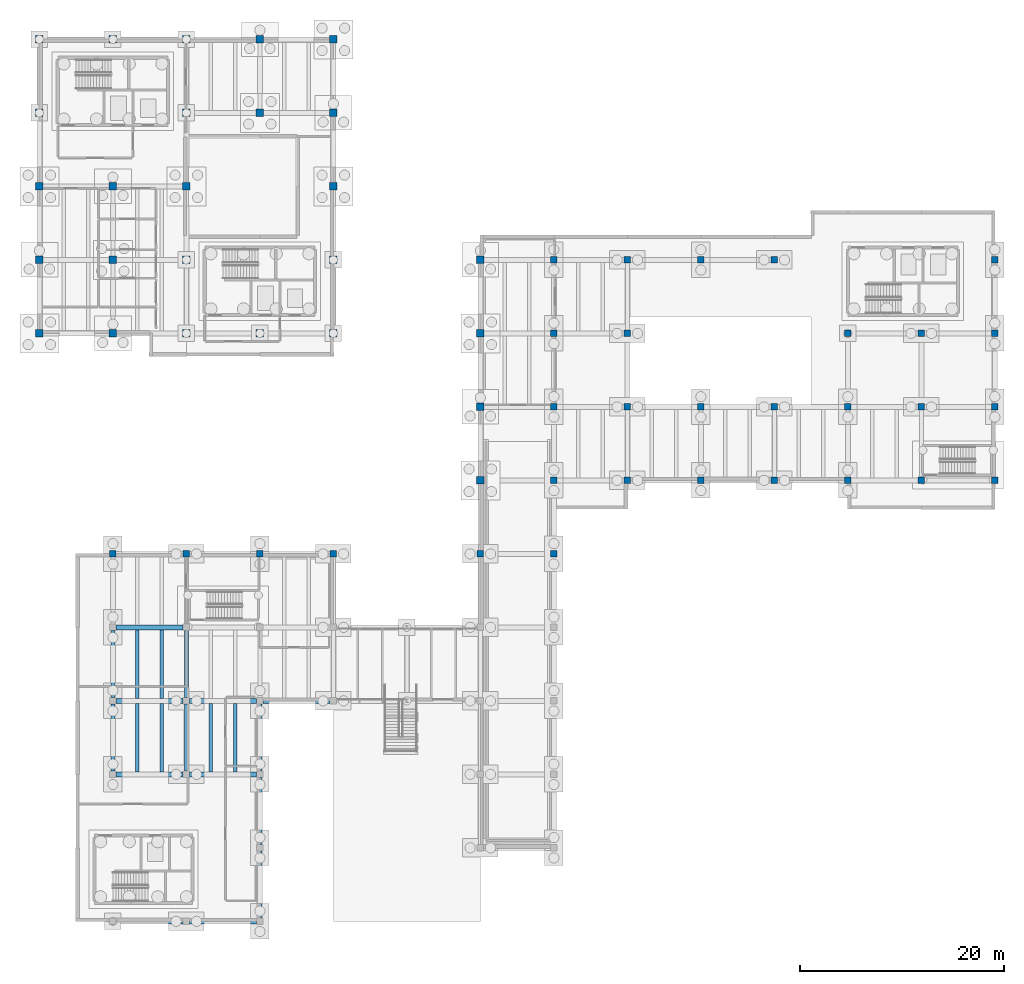
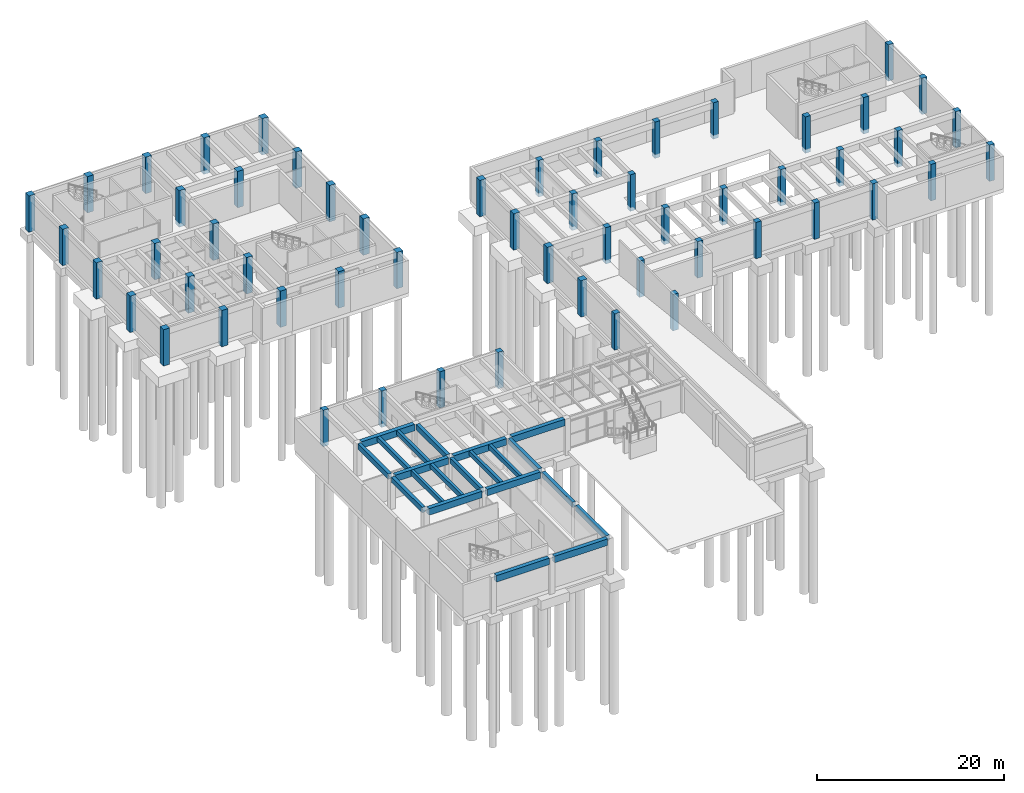
# One storey, part 6 of 28: 56 columns, 21 beams.
"""IFC4 building model written with IfcOpenShell, lengths in metres."""

from ifc_helpers import new_model, si_unit, direction, frame, origin, origin_2d, place, context, subcontext, project, spatial, rectangle, extrude, material, material_profile, profile_set, type_object, element, save


model = new_model("IFC4")

# Units and contexts
model_context = context("Model", 3, precision=1e-05, world=origin(), true_north=direction((0.0, 1.0)))
body_context = subcontext(model_context, "Body", "Model", "MODEL_VIEW")
ifc_project = project(units=[si_unit("LENGTHUNIT", "METRE"), si_unit("AREAUNIT", "SQUARE_METRE"), si_unit("VOLUMEUNIT", "CUBIC_METRE"), si_unit("PLANEANGLEUNIT", "RADIAN"), si_unit("MASSUNIT", "GRAM", prefix="KILO")], contexts=[model_context])

# Site, building, storey
site_placement = place(None, origin())
site = spatial("IfcSite", under=ifc_project, at=site_placement, CompositionType="ELEMENT")
building_placement = place(site_placement, origin())
building = spatial("IfcBuilding", under=site, at=building_placement, Name="Bramvelor Terrace Health Centre", CompositionType="ELEMENT")
storey_placement = place(building_placement, frame((0.0, 0.0, -4.5)))
storey = spatial("IfcBuildingStorey", under=building, at=storey_placement, Name="B1", CompositionType="ELEMENT", Elevation=-4.5)

# Columns
ifc_material_1 = material(Name="Concrete C40/50", Category="concrete")
ifc_material_profile_1 = material_profile(ifc_material_1, rectangle(XDim=0.64990234375, YDim=0.64990234375, at=origin_2d()), Name="RC 650x650")
ifc_profile_set_1 = profile_set([ifc_material_profile_1], Name="Concrete C40/50")
column_type_1 = type_object("IfcColumnType", Name="COL-RC-650", PredefinedType="COLUMN", material=ifc_profile_set_1)
for number, where, z_axis, x_axis, name in (
    (1, (7.199951171875, 64.800048828125, -0.5), (0.0, 0.0, 1.0), (1.0, 0.0, 0.0), "B1 Column (7.2, 64.8)"),
    (2, (14.39990234375, 64.800048828125, -0.5), (0.0, 0.0, 1.0), (1.0, 0.0, 0.0), "B1 Column (14.4, 64.8)"),
    (3, (21.60009765625, 64.800048828125, -0.5), (0.0, 0.0, 1.0), (1.0, 0.0, 0.0), "B1 Column (21.6, 64.8)"),
    (4, (28.800048828125, 64.800048828125, -0.5), (0.0, 0.0, 1.0), (1.0, 0.0, 0.0), "B1 Column (28.8, 64.8)"),
    (5, (43.199951171875, 64.800048828125, -0.5), (0.0, 0.0, 1.0), (1.0, 0.0, 0.0), "B1 Column (43.2, 64.8)"),
    (6, (50.39990234375, 64.800048828125, -0.5), (0.0, 0.0, 1.0), (1.0, 0.0, 0.0), "B1 Column (50.4, 64.8)"),
    (7, (50.39990234375, 72.0, -0.5), (0.0, 0.0, 1.0), (1.0, 0.0, 0.0), "B1 Column (50.4, 72.0)"),
    (8, (50.39990234375, 79.199951171875, -0.5), (0.0, 0.0, 1.0), (1.0, 0.0, 0.0), "B1 Column (50.4, 79.2)"),
    (9, (50.39990234375, 86.39990234375, -0.5), (0.0, 0.0, 1.0), (1.0, 0.0, 0.0), "B1 Column (50.4, 86.4)"),
    (10, (50.39990234375, 93.60009765625, -0.5), (0.0, 0.0, 1.0), (1.0, 0.0, 0.0), "B1 Column (50.4, 93.6)"),
    (11, (57.60009765625, 72.0, -0.5), (0.0, 0.0, 1.0), (1.0, 0.0, 0.0), "B1 Column (57.6, 72.0)"),
    (12, (57.60009765625, 79.199951171875, -0.5), (0.0, 0.0, 1.0), (1.0, 0.0, 0.0), "B1 Column (57.6, 79.2)"),
    (13, (57.60009765625, 86.39990234375, -0.5), (0.0, 0.0, 1.0), (1.0, 0.0, 0.0), "B1 Column (57.6, 86.4)"),
    (14, (57.60009765625, 93.60009765625, -0.5), (0.0, 0.0, 1.0), (1.0, 0.0, 0.0), "B1 Column (57.6, 93.6)"),
    (15, (64.800048828125, 72.0, -0.5), (0.0, 0.0, 1.0), (1.0, 0.0, 0.0), "B1 Column (64.8, 72.0)"),
    (16, (64.800048828125, 79.199951171875, -0.5), (0.0, 0.0, 1.0), (1.0, 0.0, 0.0), "B1 Column (64.8, 79.2)"),
    (17, (64.800048828125, 93.60009765625, -0.5), (0.0, 0.0, 1.0), (1.0, 0.0, 0.0), "B1 Column (64.8, 93.6)"),
    (18, (72.0, 72.0, -0.5), (0.0, 0.0, 1.0), (1.0, 0.0, 0.0), "B1 Column (72.0, 72.0)"),
    (19, (72.0, 79.199951171875, -0.5), (0.0, 0.0, 1.0), (1.0, 0.0, 0.0), "B1 Column (72.0, 79.2)"),
    (20, (72.0, 93.60009765625, -0.5), (0.0, 0.0, 1.0), (1.0, 0.0, 0.0), "B1 Column (72.0, 93.6)"),
    (21, (79.199951171875, 72.0, -0.5), (0.0, 0.0, 1.0), (1.0, 0.0, 0.0), "B1 Column (79.2, 72.0)"),
    (22, (79.199951171875, 79.199951171875, -0.5), (0.0, 0.0, 1.0), (1.0, 0.0, 0.0), "B1 Column (79.2, 79.2)"),
    (23, (79.199951171875, 86.39990234375, -0.5), (0.0, 0.0, 1.0), (1.0, 0.0, 0.0), "B1 Column (79.2, 86.4)"),
    (24, (86.39990234375, 72.0, -0.5), (0.0, 0.0, 1.0), (1.0, 0.0, 0.0), "B1 Column (86.4, 72.0)"),
    (25, (86.39990234375, 79.199951171875, -0.5), (0.0, 0.0, 1.0), (1.0, 0.0, 0.0), "B1 Column (86.4, 79.2)"),
    (26, (86.39990234375, 86.39990234375, -0.5), (0.0, 0.0, 1.0), (1.0, 0.0, 0.0), "B1 Column (86.4, 86.4)"),
    (27, (93.60009765625, 72.0, -0.5), (0.0, 0.0, 1.0), (1.0, 0.0, 0.0), "B1 Column (93.6, 72.0)"),
    (28, (93.60009765625, 79.199951171875, -0.5), (0.0, 0.0, 1.0), (1.0, 0.0, 0.0), "B1 Column (93.6, 79.2)"),
    (29, (93.60009765625, 86.39990234375, -0.5), (0.0, 0.0, 1.0), (1.0, 0.0, 0.0), "B1 Column (93.6, 86.4)"),
    (30, (93.60009765625, 93.60009765625, -0.5), (0.0, 0.0, 1.0), (1.0, 0.0, 0.0), "B1 Column (93.6, 93.6)"),
):
    element("IfcColumn", number, at=place(storey_placement, frame(where, z_axis=z_axis, x_axis=x_axis)), inside=storey, type_object=column_type_1, Name=name, PredefinedType="COLUMN", context=body_context, shape_type="SweptSolid", body=[
        extrude(rectangle(XDim=0.64990234375, YDim=0.64990234375, at=origin_2d()), origin(), (0.0, 0.0, 1.0), 4.75),
    ])
ifc_material_2 = material(Name="Concrete C40/50", Category="concrete")
ifc_material_profile_2 = material_profile(ifc_material_2, rectangle(XDim=0.75, YDim=0.75, at=origin_2d()), Name="RC 750x750")
ifc_profile_set_2 = profile_set([ifc_material_profile_2], Name="Concrete C40/50")
column_type_2 = type_object("IfcColumnType", Name="COL-RC-750", PredefinedType="COLUMN", material=ifc_profile_set_2)
for number, where, z_axis, x_axis, name in (
    (31, (7.199951171875, 86.39990234375, -0.5), (0.0, 0.0, 1.0), (1.0, 0.0, 0.0), "B1 Column (7.2, 86.4)"),
    (32, (7.199951171875, 93.60009765625, -0.5), (0.0, 0.0, 1.0), (1.0, 0.0, 0.0), "B1 Column (7.2, 93.6)"),
    (33, (7.199951171875, 100.800048828125, -0.5), (0.0, 0.0, 1.0), (1.0, 0.0, 0.0), "B1 Column (7.2, 100.8)"),
    (34, (14.39990234375, 86.39990234375, -0.5), (0.0, 0.0, 1.0), (1.0, 0.0, 0.0), "B1 Column (14.4, 86.4)"),
    (35, (14.39990234375, 93.60009765625, -0.5), (0.0, 0.0, 1.0), (1.0, 0.0, 0.0), "B1 Column (14.4, 93.6)"),
    (36, (14.39990234375, 100.800048828125, -0.5), (0.0, 0.0, 1.0), (1.0, 0.0, 0.0), "B1 Column (14.4, 100.8)"),
    (37, (14.39990234375, 108.0, -0.5), (0.0, 0.0, 1.0), (1.0, 0.0, 0.0), "B1 Column (14.4, 108.0)"),
    (38, (21.60009765625, 86.39990234375, -0.5), (0.0, 0.0, 1.0), (1.0, 0.0, 0.0), "B1 Column (21.6, 86.4)"),
    (39, (21.60009765625, 108.0, -0.5), (0.0, 0.0, 1.0), (1.0, 0.0, 0.0), "B1 Column (21.6, 108.0)"),
    (40, (28.800048828125, 86.39990234375, -0.5), (0.0, 0.0, 1.0), (1.0, 0.0, 0.0), "B1 Column (28.8, 86.4)"),
    (41, (28.800048828125, 93.60009765625, -0.5), (0.0, 0.0, 1.0), (1.0, 0.0, 0.0), "B1 Column (28.8, 93.6)"),
    (42, (28.800048828125, 100.800048828125, -0.5), (0.0, 0.0, 1.0), (1.0, 0.0, 0.0), "B1 Column (28.8, 100.8)"),
    (43, (28.800048828125, 108.0, -0.5), (0.0, 0.0, 1.0), (1.0, 0.0, 0.0), "B1 Column (28.8, 108.0)"),
    (44, (43.199951171875, 72.0, -0.5), (0.0, 0.0, 1.0), (1.0, 0.0, 0.0), "B1 Column (43.2, 72.0)"),
    (45, (43.199951171875, 79.199951171875, -0.5), (0.0, 0.0, 1.0), (1.0, 0.0, 0.0), "B1 Column (43.2, 79.2)"),
    (46, (43.199951171875, 86.39990234375, -0.5), (0.0, 0.0, 1.0), (1.0, 0.0, 0.0), "B1 Column (43.2, 86.4)"),
    (47, (43.199951171875, 93.60009765625, -0.5), (0.0, 0.0, 1.0), (1.0, 0.0, 0.0), "B1 Column (43.2, 93.6)"),
):
    element("IfcColumn", number, at=place(storey_placement, frame(where, z_axis=z_axis, x_axis=x_axis)), inside=storey, type_object=column_type_2, Name=name, PredefinedType="COLUMN", context=body_context, shape_type="SweptSolid", body=[
        extrude(rectangle(XDim=0.75, YDim=0.75, at=origin_2d()), origin(), (0.0, 0.0, 1.0), 4.75),
    ])
ifc_material_3 = material(Name="Concrete C40/50", Category="concrete")
ifc_material_profile_3 = material_profile(ifc_material_3, rectangle(XDim=0.75, YDim=0.75, at=origin_2d()), Name="RC 750x750")
ifc_profile_set_3 = profile_set([ifc_material_profile_3], Name="Concrete C40/50")
column_type_3 = type_object("IfcColumnType", Name="COL-RC-750-EXT", PredefinedType="COLUMN", material=ifc_profile_set_3)
for number, where, z_axis, x_axis, name in (
    (48, (0.0, 86.39990234375, -0.5), (0.0, 0.0, 1.0), (1.0, 0.0, 0.0), "B1 Column (0.0, 86.4)"),
    (49, (0.0, 93.60009765625, -0.5), (0.0, 0.0, 1.0), (1.0, 0.0, 0.0), "B1 Column (0.0, 93.6)"),
    (50, (0.0, 100.800048828125, -0.5), (0.0, 0.0, 1.0), (1.0, 0.0, 0.0), "B1 Column (0.0, 100.8)"),
    (51, (0.0, 108.0, -0.5), (0.0, 0.0, 1.0), (1.0, 0.0, 0.0), "B1 Column (0.0, 108.0)"),
    (52, (0.0, 115.199951171875, -0.5), (0.0, 0.0, 1.0), (1.0, 0.0, 0.0), "B1 Column (0.0, 115.2)"),
    (53, (7.199951171875, 115.199951171875, -0.5), (0.0, 0.0, 1.0), (1.0, 0.0, 0.0), "B1 Column (7.2, 115.2)"),
    (54, (14.39990234375, 115.199951171875, -0.5), (0.0, 0.0, 1.0), (1.0, 0.0, 0.0), "B1 Column (14.4, 115.2)"),
    (55, (21.60009765625, 115.199951171875, -0.5), (0.0, 0.0, 1.0), (1.0, 0.0, 0.0), "B1 Column (21.6, 115.2)"),
    (56, (28.800048828125, 115.199951171875, -0.5), (0.0, 0.0, 1.0), (1.0, 0.0, 0.0), "B1 Column (28.8, 115.2)"),
):
    element("IfcColumn", number, at=place(storey_placement, frame(where, z_axis=z_axis, x_axis=x_axis)), inside=storey, type_object=column_type_3, Name=name, PredefinedType="COLUMN", context=body_context, shape_type="SweptSolid", body=[
        extrude(rectangle(XDim=0.75, YDim=0.75, at=origin_2d()), origin(), (0.0, 0.0, 1.0), 4.75),
    ])

# Beams
ifc_material_4 = material(Name="Concrete C40/50", Category="concrete")
ifc_material_profile_4 = material_profile(ifc_material_4, rectangle(XDim=0.39990234375, YDim=0.699951171875, at=origin_2d()), Name="RC 400x700")
ifc_profile_set_4 = profile_set([ifc_material_profile_4], Name="Concrete C40/50")
beam_type_1 = type_object("IfcBeamType", Name="BM-RC-G700", PredefinedType="BEAM", material=ifc_profile_set_4)
beam_1_placement = place(storey_placement, frame((7.199951171875, 43.52490234375, 3.89990234375), z_axis=(0.0, 1.0, 0.0), x_axis=(-1.0, 0.0, 0.0)))
element("IfcBeam", 57, at=beam_1_placement, inside=storey, type_object=beam_type_1, Name="B1 Floor Girder", PredefinedType="BEAM", context=body_context, shape_type="SweptSolid", body=[
    extrude(rectangle(XDim=0.39990234375, YDim=0.699951171875, at=origin_2d()), origin(), (0.0, 0.0, 1.0), 6.550048828125),
])
beam_2_placement = place(storey_placement, frame((7.199951171875, 50.72509765625, 3.89990234375), z_axis=(0.0, 1.0, 0.0), x_axis=(-1.0, 0.0, 0.0)))
element("IfcBeam", 58, at=beam_2_placement, inside=storey, type_object=beam_type_1, Name="B1 Floor Girder", PredefinedType="BEAM", context=body_context, shape_type="SweptSolid", body=[
    extrude(rectangle(XDim=0.39990234375, YDim=0.699951171875, at=origin_2d()), origin(), (0.0, 0.0, 1.0), 6.5498046875),
])
beam_3_placement = place(storey_placement, frame((14.39990234375, 43.52490234375, 3.89990234375), z_axis=(0.0, 1.0, 0.0), x_axis=(-1.0, 0.0, 0.0)))
element("IfcBeam", 59, at=beam_3_placement, inside=storey, type_object=beam_type_1, Name="B1 Floor Girder", PredefinedType="BEAM", context=body_context, shape_type="SweptSolid", body=[
    extrude(rectangle(XDim=0.39990234375, YDim=0.699951171875, at=origin_2d()), origin(), (0.0, 0.0, 1.0), 6.550048828125),
])
beam_4_placement = place(storey_placement, frame((14.39990234375, 50.72509765625, 3.89990234375), z_axis=(0.0, 1.0, 0.0), x_axis=(-1.0, 0.0, 0.0)))
element("IfcBeam", 60, at=beam_4_placement, inside=storey, type_object=beam_type_1, Name="B1 Floor Girder", PredefinedType="BEAM", context=body_context, shape_type="SweptSolid", body=[
    extrude(rectangle(XDim=0.39990234375, YDim=0.699951171875, at=origin_2d()), origin(), (0.0, 0.0, 1.0), 6.5498046875),
])
for number, where, z_axis, x_axis, name in (
    (61, (21.60009765625, 29.125, 3.89990234375), (0.0, 1.0, 0.0), (-1.0, 0.0, 0.0), "B1 Floor Girder"),
    (62, (21.60009765625, 36.324951171875, 3.89990234375), (0.0, 1.0, 0.0), (-1.0, 0.0, 0.0), "B1 Floor Girder"),
    (63, (21.60009765625, 43.52490234375, 3.89990234375), (0.0, 1.0, 0.0), (-1.0, 0.0, 0.0), "B1 Floor Girder"),
):
    element("IfcBeam", number, at=place(storey_placement, frame(where, z_axis=z_axis, x_axis=x_axis)), inside=storey, type_object=beam_type_1, Name=name, PredefinedType="BEAM", context=body_context, shape_type="SweptSolid", body=[
        extrude(rectangle(XDim=0.39990234375, YDim=0.699951171875, at=origin_2d()), origin(), (0.0, 0.0, 1.0), 6.550048828125),
    ])
ifc_material_5 = material(Name="Concrete C40/50", Category="concrete")
ifc_material_profile_5 = material_profile(ifc_material_5, rectangle(XDim=0.5, YDim=0.85009765625, at=origin_2d()), Name="RC 500x850")
ifc_profile_set_5 = profile_set([ifc_material_profile_5], Name="Concrete C40/50")
beam_type_2 = type_object("IfcBeamType", Name="BM-RC-G850", PredefinedType="BEAM", material=ifc_profile_set_5)
for number, where, z_axis, x_axis, name in (
    (64, (7.52490234375, 28.800048828125, 3.824951171875), (1.0, 0.0, 0.0), (0.0, 1.0, 0.0), "B1 Floor Girder"),
    (65, (7.52490234375, 43.199951171875, 3.824951171875), (1.0, 0.0, 0.0), (0.0, 1.0, 0.0), "B1 Floor Girder"),
    (66, (7.52490234375, 50.39990234375, 3.824951171875), (1.0, 0.0, 0.0), (0.0, 1.0, 0.0), "B1 Floor Girder"),
    (67, (7.52490234375, 57.60009765625, 3.824951171875), (1.0, 0.0, 0.0), (0.0, 1.0, 0.0), "B1 Floor Girder"),
):
    element("IfcBeam", number, at=place(storey_placement, frame(where, z_axis=z_axis, x_axis=x_axis)), inside=storey, type_object=beam_type_2, Name=name, PredefinedType="BEAM", context=body_context, shape_type="SweptSolid", body=[
        extrude(rectangle(XDim=0.5, YDim=0.85009765625, at=origin_2d()), origin(), (0.0, 0.0, 1.0), 6.550048828125),
    ])
for number, where, z_axis, x_axis, name in (
    (68, (14.72509765625, 28.800048828125, 3.824951171875), (1.0, 0.0, 0.0), (0.0, 1.0, 0.0), "B1 Floor Girder"),
    (69, (14.72509765625, 43.199951171875, 3.824951171875), (1.0, 0.0, 0.0), (0.0, 1.0, 0.0), "B1 Floor Girder"),
    (70, (14.72509765625, 50.39990234375, 3.824951171875), (1.0, 0.0, 0.0), (0.0, 1.0, 0.0), "B1 Floor Girder"),
):
    element("IfcBeam", number, at=place(storey_placement, frame(where, z_axis=z_axis, x_axis=x_axis)), inside=storey, type_object=beam_type_2, Name=name, PredefinedType="BEAM", context=body_context, shape_type="SweptSolid", body=[
        extrude(rectangle(XDim=0.5, YDim=0.85009765625, at=origin_2d()), origin(), (0.0, 0.0, 1.0), 6.5498046875),
    ])
beam_5_placement = place(storey_placement, frame((21.925048828125, 50.39990234375, 3.824951171875), z_axis=(1.0, 0.0, 0.0), x_axis=(0.0, 1.0, 0.0)))
element("IfcBeam", 71, at=beam_5_placement, inside=storey, type_object=beam_type_2, Name="B1 Floor Girder", PredefinedType="BEAM", context=body_context, shape_type="SweptSolid", body=[
    extrude(rectangle(XDim=0.5, YDim=0.85009765625, at=origin_2d()), origin(), (0.0, 0.0, 1.0), 6.550048828125),
])
ifc_material_6 = material(Name="Concrete C40/50", Category="concrete")
ifc_material_profile_6 = material_profile(ifc_material_6, rectangle(XDim=0.35009765625, YDim=0.60009765625, at=origin_2d()), Name="RC 350x600")
ifc_profile_set_6 = profile_set([ifc_material_profile_6], Name="Concrete C40/50")
beam_type_3 = type_object("IfcBeamType", Name="BM-RC-J600", PredefinedType="JOIST", material=ifc_profile_set_6)
for number, where, z_axis, x_axis, name in (
    (72, (9.60009765625, 43.449951171875, 3.949951171875), (0.0, 1.0, 0.0), (-1.0, 0.0, 0.0), "B1 Secondary Floor Joist"),
    (73, (12.0, 43.449951171875, 3.949951171875), (0.0, 1.0, 0.0), (-1.0, 0.0, 0.0), "B1 Secondary Floor Joist"),
):
    element("IfcBeam", number, at=place(storey_placement, frame(where, z_axis=z_axis, x_axis=x_axis)), inside=storey, type_object=beam_type_3, Name=name, PredefinedType="JOIST", context=body_context, shape_type="SweptSolid", body=[
        extrude(rectangle(XDim=0.35009765625, YDim=0.60009765625, at=origin_2d()), origin(), (0.0, 0.0, 1.0), 6.699951171875),
    ])
for number, where, z_axis, x_axis, name in (
    (74, (9.60009765625, 50.64990234375, 3.949951171875), (0.0, 1.0, 0.0), (-1.0, 0.0, 0.0), "B1 Secondary Floor Joist"),
    (75, (12.0, 50.64990234375, 3.949951171875), (0.0, 1.0, 0.0), (-1.0, 0.0, 0.0), "B1 Secondary Floor Joist"),
):
    element("IfcBeam", number, at=place(storey_placement, frame(where, z_axis=z_axis, x_axis=x_axis)), inside=storey, type_object=beam_type_3, Name=name, PredefinedType="JOIST", context=body_context, shape_type="SweptSolid", body=[
        extrude(rectangle(XDim=0.35009765625, YDim=0.60009765625, at=origin_2d()), origin(), (0.0, 0.0, 1.0), 6.7001953125),
    ])
for number, where, z_axis, x_axis, name in (
    (76, (16.800048828125, 43.449951171875, 3.949951171875), (0.0, 1.0, 0.0), (-1.0, 0.0, 0.0), "B1 Secondary Floor Joist"),
    (77, (19.199951171875, 43.449951171875, 3.949951171875), (0.0, 1.0, 0.0), (-1.0, 0.0, 0.0), "B1 Secondary Floor Joist"),
):
    element("IfcBeam", number, at=place(storey_placement, frame(where, z_axis=z_axis, x_axis=x_axis)), inside=storey, type_object=beam_type_3, Name=name, PredefinedType="JOIST", context=body_context, shape_type="SweptSolid", body=[
        extrude(rectangle(XDim=0.35009765625, YDim=0.60009765625, at=origin_2d()), origin(), (0.0, 0.0, 1.0), 6.699951171875),
    ])

save(model, "model.ifc")
